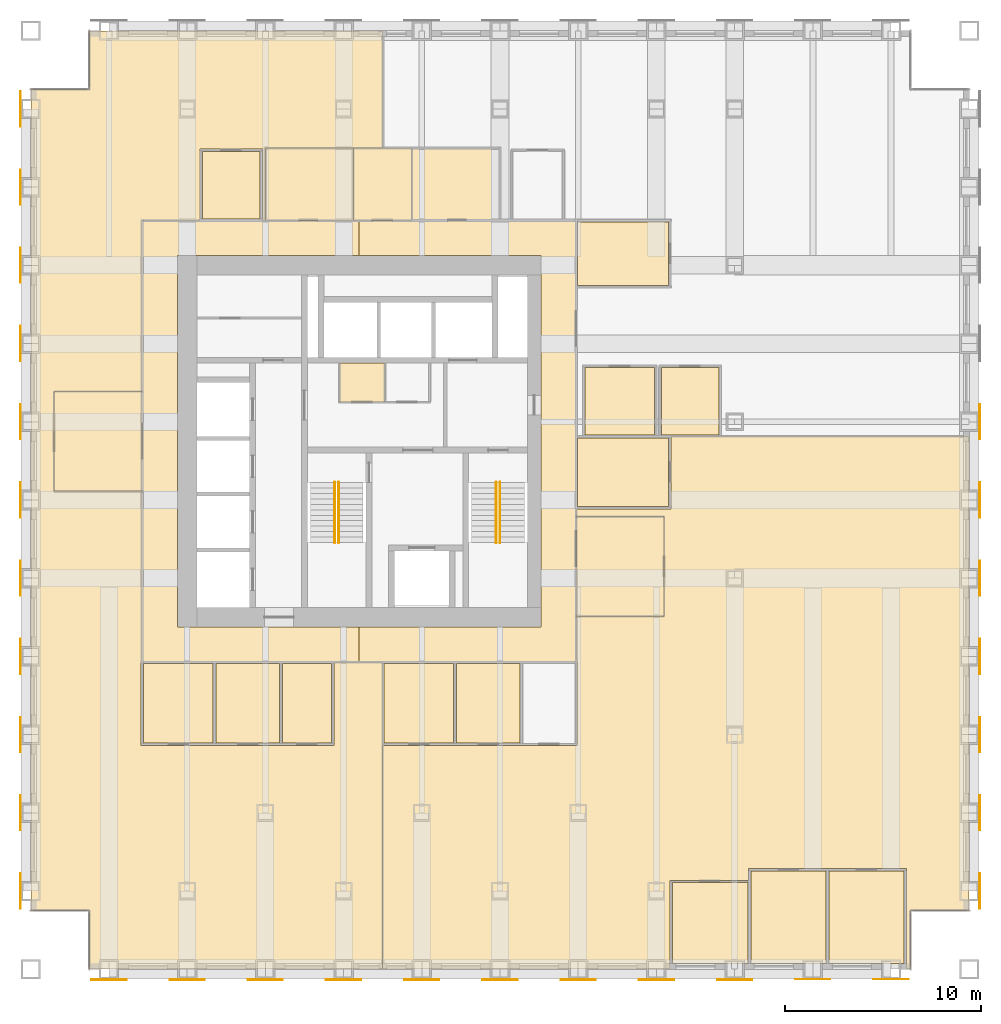
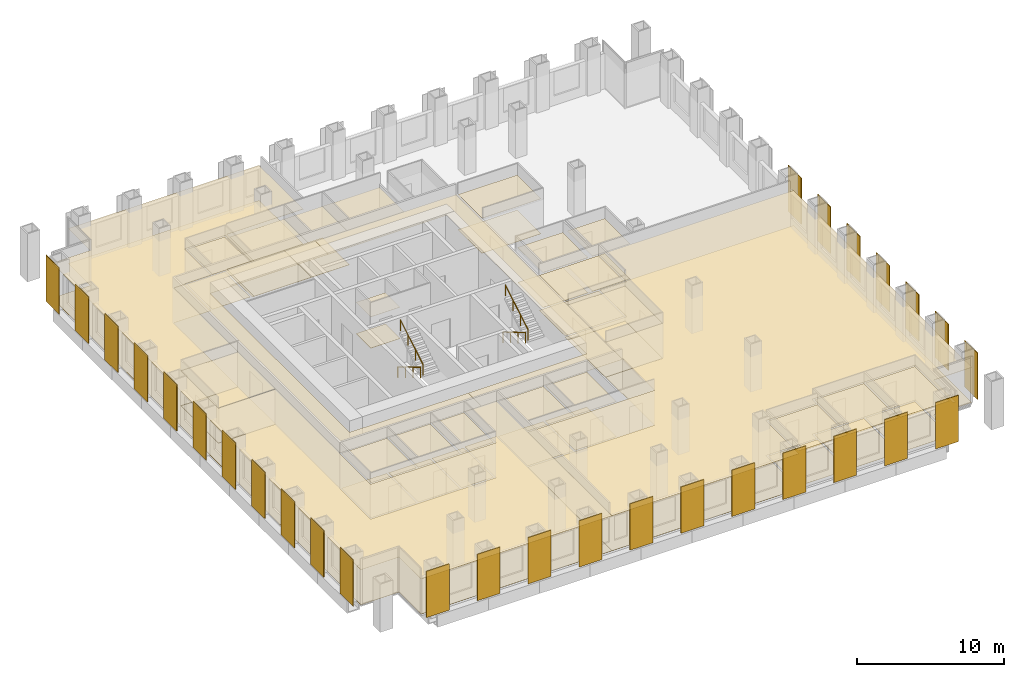
# One storey, part 15 of 16: 43 coverings, 29 shading devices, 4 railings.
"""IFC4 building model written with IfcOpenShell, lengths in metres."""

import ifcopenshell
import ifcopenshell.guid

model = None  # the IFC model being written
_history = None  # IfcOwnerHistory: only IFC2X3 demands one
_inside = {}  # id of a spatial element -> (the spatial element, [elements in it])
_under = {}  # id of a project, library or spatial element -> (it, [spatial elements below it])
_declared = {}  # id of a project -> (the project, [libraries it declares])
_typed = {}  # id of a type object -> (the type object, [elements of that type])
_made_of = {}  # id of a material, layer set ... -> (it, [elements and type objects made of it])


def new_model(schema):
    """Start an empty IFC model of exactly this schema.

    Asked for "IFC4X3", IfcOpenShell would pick the latest addendum, in which some entities
    have other attributes; the version numbers below select the first issue.
    IFC2X3 requires an IfcOwnerHistory on every rooted entity: one is made here for all.
    """
    global model, _history
    if schema == "IFC4X3":
        model = ifcopenshell.file(schema_version=(4, 3, 0, 0))
    else:
        model = ifcopenshell.file(schema=schema)
    _inside.clear()
    _under.clear()
    _declared.clear()
    _typed.clear()
    _made_of.clear()
    _history = None
    if model.schema == "IFC2X3":
        org = make("IfcOrganization", Name="unknown")
        user = make(
            "IfcPersonAndOrganization",
            ThePerson=make("IfcPerson", FamilyName="unknown"),
            TheOrganization=org,
        )
        app = make(
            "IfcApplication",
            ApplicationDeveloper=org,
            Version="unknown",
            ApplicationFullName="unknown",
            ApplicationIdentifier="unknown",
        )
        _history = make(
            "IfcOwnerHistory",
            OwningUser=user,
            OwningApplication=app,
            ChangeAction="ADDED",
            CreationDate=0,
        )
    return model


def make(cls, **values):
    """One entity of the class cls with the attributes given. An attribute that is None is left unset."""
    return model.create_entity(
        cls, **{name: value for name, value in values.items() if value is not None}
    )


def rooted(cls, **values):
    """An entity with a GlobalId (a new one), such as an element, a storey or a relation."""
    return make(cls, GlobalId=ifcopenshell.guid.new(), OwnerHistory=_history, **values)


def si_unit(unit_type, name, prefix=None):
    """IfcSIUnit, for example si_unit("LENGTHUNIT", "METRE", prefix="MILLI")."""
    return make("IfcSIUnit", UnitType=unit_type, Prefix=prefix, Name=name)


def assignment(units):
    """IfcUnitAssignment: the units of a project."""
    return None if units is None else make("IfcUnitAssignment", Units=units)


def point(xyz):
    """IfcCartesianPoint."""
    return None if xyz is None else make("IfcCartesianPoint", Coordinates=xyz)


def direction(xyz):
    """IfcDirection."""
    return None if xyz is None else make("IfcDirection", DirectionRatios=xyz)


def frame(location, z_axis=None, x_axis=None):
    """IfcAxis2Placement3D, a coordinate frame: its origin and axes. An axis left out is left unset."""
    return make(
        "IfcAxis2Placement3D",
        Location=point(location),
        Axis=direction(z_axis),
        RefDirection=direction(x_axis),
    )


def frame_2d(location, x_axis=None):
    """IfcAxis2Placement2D, a coordinate frame in the plane: its origin and x axis."""
    return make(
        "IfcAxis2Placement2D", Location=point(location), RefDirection=direction(x_axis)
    )


def origin():
    """The frame at (0, 0, 0) with its axes left unset."""
    return frame((0.0, 0.0, 0.0))


def origin_2d():
    """The frame at (0, 0) in the plane with its x axis left unset."""
    return frame_2d((0.0, 0.0))


def place(relative_to, where):
    """IfcLocalPlacement: puts the frame where relative to a parent placement (None: the world)."""
    return make(
        "IfcLocalPlacement", PlacementRelTo=relative_to, RelativePlacement=where
    )


def context(
    kind, dimensions, precision=None, world=None, true_north=None, identifier=None
):
    """IfcGeometricRepresentationContext, for example the 3D "Model" context."""
    return make(
        "IfcGeometricRepresentationContext",
        ContextIdentifier=identifier,
        ContextType=kind,
        CoordinateSpaceDimension=dimensions,
        Precision=precision,
        WorldCoordinateSystem=world,
        TrueNorth=true_north,
    )


def subcontext(parent, identifier, kind, view, scale=None):
    """IfcGeometricRepresentationSubContext, for example "Body" below "Model"."""
    return make(
        "IfcGeometricRepresentationSubContext",
        ContextIdentifier=identifier,
        ContextType=kind,
        ParentContext=parent,
        TargetScale=scale,
        TargetView=view,
    )


def project(units=None, contexts=None):
    """IfcProject with its units and contexts."""
    return rooted(
        "IfcProject",
        Name="project",
        RepresentationContexts=contexts,
        UnitsInContext=assignment(units),
    )


def spatial(cls, under=None, at=None, **own):
    """A site, building, storey or space (cls), placed at a placement, below another one or the project."""
    s = rooted(cls, ObjectPlacement=at, **own)
    if under is not None:
        _under.setdefault(under.id(), (under, []))[1].append(s)
    return s


def polyline(points):
    """IfcPolyline through the points."""
    return make("IfcPolyline", Points=[point(p) for p in points])


def profile(cls, at=None, kind="AREA", **sizes):
    """A parametric profile (cls). Its sizes go by their IFC names, for example OverallWidth=200.0."""
    return make(cls, ProfileType=kind, Position=at, **sizes)


def rectangle(**sizes):
    """IfcRectangleProfileDef."""
    return profile("IfcRectangleProfileDef", **sizes)


def circle(**sizes):
    """IfcCircleProfileDef."""
    return profile("IfcCircleProfileDef", **sizes)


def outline(outer, holes=None, kind="AREA"):
    """IfcArbitraryClosedProfileDef: a profile drawn as a closed curve; with holes, ...WithVoids."""
    if holes is None:
        return make("IfcArbitraryClosedProfileDef", ProfileType=kind, OuterCurve=outer)
    return make(
        "IfcArbitraryProfileDefWithVoids",
        ProfileType=kind,
        OuterCurve=outer,
        InnerCurves=holes,
    )


def extrude(swept, where, along, depth):
    """IfcExtrudedAreaSolid: the profile swept, set in the frame where, extruded along a direction by depth."""
    return make(
        "IfcExtrudedAreaSolid",
        SweptArea=swept,
        Position=where,
        ExtrudedDirection=direction(along),
        Depth=depth,
    )


def shape(context_of_items, identifier, shape_type, items):
    """IfcShapeRepresentation: the items that make up one representation, for example the "Body"."""
    return make(
        "IfcShapeRepresentation",
        ContextOfItems=context_of_items,
        RepresentationIdentifier=identifier,
        RepresentationType=shape_type,
        Items=items,
    )


def material(Name=None, Category=None):
    """IfcMaterial."""
    return make("IfcMaterial", Name=Name, Category=Category)


def layer(
    of_material, thickness, ventilated=None, Name=None, Category=None, Priority=None
):
    """IfcMaterialLayer: one layer of a wall or slab, of a material (None: an air gap)."""
    return make(
        "IfcMaterialLayer",
        Material=of_material,
        LayerThickness=thickness,
        IsVentilated=ventilated,
        Name=Name,
        Category=Category,
        Priority=Priority,
    )


def layer_set(layers, Name=None):
    """IfcMaterialLayerSet."""
    return make("IfcMaterialLayerSet", MaterialLayers=layers, LayerSetName=Name)


def made_of(thing, what):
    """Note that an element or type object is made of a material, layer set ...; save() writes the relation."""
    if what is not None:
        _made_of.setdefault(what.id(), (what, []))[1].append(thing)
    return thing


def type_object(cls, material=None, **own):
    """A type object (cls), such as IfcWallType, which elements share."""
    return made_of(rooted(cls, **own), material)


def element(
    cls,
    number,
    at=None,
    inside=None,
    cuts=None,
    type_object=None,
    material=None,
    context=None,
    identifier="Body",
    shape_type=None,
    held_by="IfcProductDefinitionShape",
    body=None,
    shapes=None,
    **own,
):
    """One element of the class cls, such as IfcWall. Its Tag is "e" and its number.

    at: its placement. inside: the storey or other place that contains it. cuts: it is an
    opening in that element (IfcRelVoidsElement). A single representation is given by context,
    identifier, shape_type and body (its items); several are given by shapes. held_by: the class
    of the entity that holds the representations. save() writes the other relations.
    """
    e = rooted(cls, Tag="e%d" % number, ObjectPlacement=at, **own)
    if body is not None:
        shapes = [shape(context, identifier, shape_type, body)]
    if shapes is not None:
        e.Representation = make(held_by, Representations=shapes)
    if inside is not None:
        _inside.setdefault(inside.id(), (inside, []))[1].append(e)
    if cuts is not None:
        rooted(
            "IfcRelVoidsElement", RelatingBuildingElement=cuts, RelatedOpeningElement=e
        )
    if type_object is not None:
        _typed.setdefault(type_object.id(), (type_object, []))[1].append(e)
    return made_of(e, material)


def aggregate(whole, parts):
    """IfcRelAggregates: a whole, such as a stair, and the parts it consists of."""
    return rooted("IfcRelAggregates", RelatingObject=whole, RelatedObjects=parts)


def save(model, path):
    """Write the relations noted so far, then the file.

    IfcRelAggregates (storeys below a building ...), IfcRelContainedInSpatialStructure (elements
    in a storey), IfcRelDefinesByType, IfcRelAssociatesMaterial and IfcRelDeclares: one each for
    every whole, place, type object, material and project.
    """
    for whole, parts in _under.values():
        aggregate(whole, parts)
    for where, things in _inside.values():
        rooted(
            "IfcRelContainedInSpatialStructure",
            RelatedElements=things,
            RelatingStructure=where,
        )
    for kind, things in _typed.values():
        rooted("IfcRelDefinesByType", RelatedObjects=things, RelatingType=kind)
    for what, things in _made_of.values():
        rooted("IfcRelAssociatesMaterial", RelatedObjects=things, RelatingMaterial=what)
    for by, libraries in _declared.values():
        rooted("IfcRelDeclares", RelatingContext=by, RelatedDefinitions=libraries)
    model.write(path)


model = new_model("IFC4")

# Units and contexts
model_context = context("Model", 3, precision=1e-05, world=origin(), true_north=direction((0.0, 1.0)))
body_context = subcontext(model_context, "Body", "Model", "MODEL_VIEW")
ifc_project = project(units=[si_unit("LENGTHUNIT", "METRE"), si_unit("AREAUNIT", "SQUARE_METRE"), si_unit("VOLUMEUNIT", "CUBIC_METRE"), si_unit("PLANEANGLEUNIT", "RADIAN"), si_unit("MASSUNIT", "GRAM", prefix="KILO")], contexts=[model_context])

# Site, building, storey
site_placement = place(None, origin())
site = spatial("IfcSite", under=ifc_project, at=site_placement, CompositionType="ELEMENT")
building_placement = place(site_placement, origin())
building = spatial("IfcBuilding", under=site, at=building_placement, Name="Rimbunsela Tower", CompositionType="ELEMENT")
storey_placement = place(building_placement, frame((0.0, 0.0, 93.39990234375)))
storey = spatial("IfcBuildingStorey", under=building, at=storey_placement, Name="L22", CompositionType="ELEMENT", Elevation=93.39990234375)

# Coverings
ifc_material_1 = material(Name="Nylon carpet tile", Category="textile")
ifc_layer_1 = layer(ifc_material_1, 0.010009765625)
ifc_layer_set_1 = layer_set([ifc_layer_1], Name="Carpet tile 10")
covering_type_1 = type_object("IfcCoveringType", Name="Carpet tile 10", PredefinedType="FLOORING", material=ifc_layer_set_1)
covering_1_placement = place(storey_placement, origin())
element("IfcCovering", 1, at=covering_1_placement, inside=storey, type_object=covering_type_1, Name="Floor finish Open office", PredefinedType="FLOORING", context=body_context, shape_type="SweptSolid", body=[
    extrude(outline(polyline([(19.449951171875, 11.449951171875), (22.75, 11.449951171875), (22.85009765625, 11.449951171875), (25.5, 11.449951171875), (25.5, 15.699951171875), (27.9990234375, 15.699951171875), (27.9990234375, 0.0), (15.699951171875, 0.0), (13.0, 0.0), (13.0, 3.0), (10.0, 3.0), (10.0, 45.0), (13.0, 45.0), (13.0, 48.0), (15.699951171875, 48.0), (27.9990234375, 48.0), (27.9990234375, 42.0), (22.0, 42.0), (22.0, 38.300048828125), (21.85009765625, 38.300048828125), (21.85009765625, 41.949951171875), (18.64990234375, 41.949951171875), (18.64990234375, 38.300048828125), (15.699951171875, 38.300048828125), (15.699951171875, 29.550048828125), (11.199951171875, 29.550048828125), (11.199951171875, 24.449951171875), (15.699951171875, 24.449951171875), (15.699951171875, 15.75), (15.64990234375, 15.75), (15.64990234375, 11.449951171875), (15.699951171875, 11.449951171875), (19.35009765625, 11.449951171875), (19.449951171875, 11.449951171875)])), origin(), (0.0, 0.0, 1.0), 0.010009765625),
])
covering_2_placement = place(storey_placement, origin())
element("IfcCovering", 2, at=covering_2_placement, inside=storey, type_object=covering_type_1, Name="Floor finish Open office", PredefinedType="FLOORING", context=body_context, shape_type="SweptSolid", body=[
    extrude(outline(polyline([(28.0009765625, 11.449951171875), (31.65087890625, 11.449951171875), (31.7509765625, 11.449951171875), (35.051025390625, 11.449951171875), (35.15087890625, 11.449951171875), (37.89990234375, 11.449951171875), (37.949951171875, 11.449951171875), (37.949951171875, 15.75), (37.89990234375, 15.75), (37.89990234375, 18.049072265625), (42.39990234375, 18.049072265625), (42.39990234375, 23.14892578125), (37.89990234375, 23.14892578125), (37.89990234375, 23.549072265625), (42.75, 23.549072265625), (42.75, 27.2490234375), (58.0, 27.2490234375), (58.0, 3.0), (55.0, 3.0), (55.0, 0.0), (54.800048828125, 0.0), (54.800048828125, 5.14990234375), (50.800048828125, 5.14990234375), (50.699951171875, 5.14990234375), (46.699951171875, 5.14990234375), (46.699951171875, 4.550048828125), (42.699951171875, 4.550048828125), (42.699951171875, 0.0), (37.89990234375, 0.0), (28.0009765625, 0.0), (28.0009765625, 11.449951171875)])), origin(), (0.0, 0.0, 1.0), 0.010009765625),
])
covering_3_placement = place(storey_placement, origin())
element("IfcCovering", 3, at=covering_3_placement, inside=storey, type_object=covering_type_1, Name="Floor finish Reception", PredefinedType="FLOORING", context=body_context, shape_type="SweptSolid", body=[
    extrude(outline(polyline([(15.699951171875, 24.449951171875), (15.699951171875, 29.550048828125), (11.199951171875, 29.550048828125), (11.199951171875, 24.449951171875), (15.699951171875, 24.449951171875)])), origin(), (0.0, 0.0, 1.0), 0.010009765625),
])
covering_4_placement = place(storey_placement, origin())
element("IfcCovering", 4, at=covering_4_placement, inside=storey, type_object=covering_type_1, Name="Floor finish Reception", PredefinedType="FLOORING", context=body_context, shape_type="SweptSolid", body=[
    extrude(outline(polyline([(42.39990234375, 18.049072265625), (42.39990234375, 23.14892578125), (37.89990234375, 23.14892578125), (37.89990234375, 18.049072265625), (42.39990234375, 18.049072265625)])), origin(), (0.0, 0.0, 1.0), 0.010009765625),
])
covering_5_placement = place(storey_placement, origin())
element("IfcCovering", 5, at=covering_5_placement, inside=storey, type_object=covering_type_1, Name="Floor finish Executive office", PredefinedType="FLOORING", context=body_context, shape_type="SweptSolid", body=[
    extrude(outline(polyline([(46.675048828125, 0.300048828125), (46.675048828125, 4.425048828125), (42.824951171875, 4.425048828125), (42.824951171875, 0.300048828125), (46.675048828125, 0.300048828125)])), origin(), (0.0, 0.0, 1.0), 0.010009765625),
])
covering_6_placement = place(storey_placement, origin())
element("IfcCovering", 6, at=covering_6_placement, inside=storey, type_object=covering_type_1, Name="Floor finish Meeting room", PredefinedType="FLOORING", context=body_context, shape_type="SweptSolid", body=[
    extrude(outline(polyline([(50.675048828125, 0.300048828125), (50.675048828125, 5.02490234375), (46.824951171875, 5.02490234375), (46.824951171875, 0.300048828125), (50.675048828125, 0.300048828125)])), origin(), (0.0, 0.0, 1.0), 0.010009765625),
])
covering_7_placement = place(storey_placement, origin())
element("IfcCovering", 7, at=covering_7_placement, inside=storey, type_object=covering_type_1, Name="Floor finish Meeting room", PredefinedType="FLOORING", context=body_context, shape_type="SweptSolid", body=[
    extrude(outline(polyline([(54.675048828125, 0.300048828125), (54.675048828125, 5.02490234375), (50.824951171875, 5.02490234375), (50.824951171875, 0.300048828125), (54.675048828125, 0.300048828125)])), origin(), (0.0, 0.0, 1.0), 0.010009765625),
])
covering_8_placement = place(storey_placement, origin())
element("IfcCovering", 8, at=covering_8_placement, inside=storey, type_object=covering_type_1, Name="Floor finish Meeting room", PredefinedType="FLOORING", context=body_context, shape_type="SweptSolid", body=[
    extrude(outline(polyline([(19.324951171875, 11.574951171875), (19.324951171875, 15.625), (15.77490234375, 15.625), (15.77490234375, 11.574951171875), (19.324951171875, 11.574951171875)])), origin(), (0.0, 0.0, 1.0), 0.010009765625),
])
covering_9_placement = place(storey_placement, origin())
element("IfcCovering", 9, at=covering_9_placement, inside=storey, type_object=covering_type_1, Name="Floor finish Pantry", PredefinedType="FLOORING", context=body_context, shape_type="SweptSolid", body=[
    extrude(outline(polyline([(22.72509765625, 11.574951171875), (22.72509765625, 15.625), (19.47509765625, 15.625), (19.47509765625, 11.574951171875), (22.72509765625, 11.574951171875)])), origin(), (0.0, 0.0, 1.0), 0.010009765625),
])
covering_10_placement = place(storey_placement, origin())
element("IfcCovering", 10, at=covering_10_placement, inside=storey, type_object=covering_type_1, Name="Floor finish Print and copy room", PredefinedType="FLOORING", context=body_context, shape_type="SweptSolid", body=[
    extrude(outline(polyline([(25.375, 11.574951171875), (25.375, 15.625), (22.875, 15.625), (22.875, 11.574951171875), (25.375, 11.574951171875)])), origin(), (0.0, 0.0, 1.0), 0.010009765625),
])
covering_11_placement = place(storey_placement, origin())
element("IfcCovering", 11, at=covering_11_placement, inside=storey, type_object=covering_type_1, Name="Floor finish Meeting room", PredefinedType="FLOORING", context=body_context, shape_type="SweptSolid", body=[
    extrude(outline(polyline([(31.6259765625, 11.574951171875), (31.6259765625, 15.625), (28.075927734375, 15.625), (28.075927734375, 11.574951171875), (31.6259765625, 11.574951171875)])), origin(), (0.0, 0.0, 1.0), 0.010009765625),
])
covering_12_placement = place(storey_placement, origin())
element("IfcCovering", 12, at=covering_12_placement, inside=storey, type_object=covering_type_1, Name="Floor finish Pantry", PredefinedType="FLOORING", context=body_context, shape_type="SweptSolid", body=[
    extrude(outline(polyline([(35.02587890625, 11.574951171875), (35.02587890625, 15.625), (31.77587890625, 15.625), (31.77587890625, 11.574951171875), (35.02587890625, 11.574951171875)])), origin(), (0.0, 0.0, 1.0), 0.010009765625),
])
covering_13_placement = place(storey_placement, origin())
element("IfcCovering", 13, at=covering_13_placement, inside=storey, type_object=covering_type_1, Name="Floor finish Office", PredefinedType="FLOORING", context=body_context, shape_type="SweptSolid", body=[
    extrude(outline(polyline([(42.625, 23.674072265625), (42.625, 27.174072265625), (37.97509765625, 27.174072265625), (37.97509765625, 23.674072265625), (42.625, 23.674072265625)])), origin(), (0.0, 0.0, 1.0), 0.010009765625),
])
covering_14_placement = place(storey_placement, origin())
element("IfcCovering", 14, at=covering_14_placement, inside=storey, type_object=covering_type_1, Name="Floor finish Office", PredefinedType="FLOORING", context=body_context, shape_type="SweptSolid", body=[
    extrude(outline(polyline([(21.72509765625, 38.375), (21.72509765625, 41.824951171875), (18.77490234375, 41.824951171875), (18.77490234375, 38.375), (21.72509765625, 38.375)])), origin(), (0.0, 0.0, 1.0), 0.010009765625),
])
covering_15_placement = place(storey_placement, origin())
element("IfcCovering", 15, at=covering_15_placement, inside=storey, type_object=covering_type_1, Name="Floor finish Meeting room", PredefinedType="FLOORING", context=body_context, shape_type="SweptSolid", body=[
    extrude(outline(polyline([(41.89990234375, 27.324951171875), (41.89990234375, 30.77490234375), (38.35009765625, 30.77490234375), (38.35009765625, 27.324951171875), (41.89990234375, 27.324951171875)])), origin(), (0.0, 0.0, 1.0), 0.010009765625),
])
covering_16_placement = place(storey_placement, origin())
element("IfcCovering", 16, at=covering_16_placement, inside=storey, type_object=covering_type_1, Name="Floor finish Pantry", PredefinedType="FLOORING", context=body_context, shape_type="SweptSolid", body=[
    extrude(outline(polyline([(42.625, 34.97509765625), (42.625, 38.22509765625), (37.97509765625, 38.22509765625), (37.97509765625, 34.97509765625), (42.625, 34.97509765625)])), origin(), (0.0, 0.0, 1.0), 0.010009765625),
])
covering_17_placement = place(storey_placement, origin())
element("IfcCovering", 17, at=covering_17_placement, inside=storey, type_object=covering_type_1, Name="Floor finish Office", PredefinedType="FLOORING", context=body_context, shape_type="SweptSolid", body=[
    extrude(outline(polyline([(45.199951171875, 27.324951171875), (45.199951171875, 30.77490234375), (42.25, 30.77490234375), (42.25, 27.324951171875), (45.199951171875, 27.324951171875)])), origin(), (0.0, 0.0, 1.0), 0.010009765625),
])
ifc_material_2 = material(Name="Mineral fibre ceiling tile", Category="gypsum")
ifc_layer_2 = layer(ifc_material_2, 0.02001953125)
ifc_layer_set_2 = layer_set([ifc_layer_2], Name="Ceiling 600 grid")
covering_type_2 = type_object("IfcCoveringType", Name="Ceiling 600 grid", PredefinedType="CEILING", material=ifc_layer_set_2)
covering_18_placement = place(storey_placement, frame((0.0, 0.0, 2.900146484375)))
element("IfcCovering", 18, at=covering_18_placement, inside=storey, type_object=covering_type_2, Name="Ceiling Ring corridor", PredefinedType="CEILING", context=body_context, shape_type="SweptSolid", body=[
    extrude(outline(polyline([(15.699951171875, 38.300048828125), (26.800048828125, 38.300048828125), (26.800048828125, 36.5), (17.5, 36.5), (17.5, 17.5), (26.800048828125, 17.5), (26.800048828125, 15.699951171875), (15.699951171875, 15.699951171875), (15.699951171875, 38.300048828125)])), origin(), (0.0, 0.0, 1.0), 0.02001953125),
])
covering_19_placement = place(storey_placement, frame((0.0, 0.0, 2.900146484375)))
element("IfcCovering", 19, at=covering_19_placement, inside=storey, type_object=covering_type_2, Name="Ceiling Ring corridor", PredefinedType="CEILING", context=body_context, shape_type="SweptSolid", body=[
    extrude(outline(polyline([(37.89990234375, 38.300048828125), (37.89990234375, 15.699951171875), (26.800048828125, 15.699951171875), (26.800048828125, 17.5), (36.10009765625, 17.5), (36.10009765625, 36.5), (26.800048828125, 36.5), (26.800048828125, 38.300048828125), (37.89990234375, 38.300048828125)])), origin(), (0.0, 0.0, 1.0), 0.02001953125),
])
covering_20_placement = place(storey_placement, frame((0.0, 0.0, 2.900146484375)))
element("IfcCovering", 20, at=covering_20_placement, inside=storey, type_object=covering_type_2, Name="Ceiling Open office", PredefinedType="CEILING", context=body_context, shape_type="SweptSolid", body=[
    extrude(outline(polyline([(19.449951171875, 11.449951171875), (22.75, 11.449951171875), (22.85009765625, 11.449951171875), (25.5, 11.449951171875), (25.5, 15.699951171875), (27.9990234375, 15.699951171875), (27.9990234375, 0.0), (15.699951171875, 0.0), (13.0, 0.0), (13.0, 3.0), (10.0, 3.0), (10.0, 45.0), (13.0, 45.0), (13.0, 48.0), (15.699951171875, 48.0), (27.9990234375, 48.0), (27.9990234375, 42.0), (22.0, 42.0), (22.0, 38.300048828125), (21.85009765625, 38.300048828125), (21.85009765625, 41.949951171875), (18.64990234375, 41.949951171875), (18.64990234375, 38.300048828125), (15.699951171875, 38.300048828125), (15.699951171875, 29.550048828125), (11.199951171875, 29.550048828125), (11.199951171875, 24.449951171875), (15.699951171875, 24.449951171875), (15.699951171875, 15.75), (15.64990234375, 15.75), (15.64990234375, 11.449951171875), (15.699951171875, 11.449951171875), (19.35009765625, 11.449951171875), (19.449951171875, 11.449951171875)])), origin(), (0.0, 0.0, 1.0), 0.02001953125),
])
covering_21_placement = place(storey_placement, frame((0.0, 0.0, 2.900146484375)))
element("IfcCovering", 21, at=covering_21_placement, inside=storey, type_object=covering_type_2, Name="Ceiling Open office", PredefinedType="CEILING", context=body_context, shape_type="SweptSolid", body=[
    extrude(outline(polyline([(28.0009765625, 11.449951171875), (31.65087890625, 11.449951171875), (31.7509765625, 11.449951171875), (35.051025390625, 11.449951171875), (35.15087890625, 11.449951171875), (37.89990234375, 11.449951171875), (37.949951171875, 11.449951171875), (37.949951171875, 15.75), (37.89990234375, 15.75), (37.89990234375, 18.049072265625), (42.39990234375, 18.049072265625), (42.39990234375, 23.14892578125), (37.89990234375, 23.14892578125), (37.89990234375, 23.549072265625), (42.75, 23.549072265625), (42.75, 27.2490234375), (58.0, 27.2490234375), (58.0, 3.0), (55.0, 3.0), (55.0, 0.0), (54.800048828125, 0.0), (54.800048828125, 5.14990234375), (50.800048828125, 5.14990234375), (50.699951171875, 5.14990234375), (46.699951171875, 5.14990234375), (46.699951171875, 4.550048828125), (42.699951171875, 4.550048828125), (42.699951171875, 0.0), (37.89990234375, 0.0), (28.0009765625, 0.0), (28.0009765625, 11.449951171875)])), origin(), (0.0, 0.0, 1.0), 0.02001953125),
])
covering_22_placement = place(storey_placement, frame((0.0, 0.0, 2.900146484375)))
element("IfcCovering", 22, at=covering_22_placement, inside=storey, type_object=covering_type_2, Name="Ceiling Reception", PredefinedType="CEILING", context=body_context, shape_type="SweptSolid", body=[
    extrude(outline(polyline([(15.699951171875, 24.449951171875), (15.699951171875, 29.550048828125), (11.199951171875, 29.550048828125), (11.199951171875, 24.449951171875), (15.699951171875, 24.449951171875)])), origin(), (0.0, 0.0, 1.0), 0.02001953125),
])
covering_23_placement = place(storey_placement, frame((0.0, 0.0, 2.900146484375)))
element("IfcCovering", 23, at=covering_23_placement, inside=storey, type_object=covering_type_2, Name="Ceiling Reception", PredefinedType="CEILING", context=body_context, shape_type="SweptSolid", body=[
    extrude(outline(polyline([(42.39990234375, 18.049072265625), (42.39990234375, 23.14892578125), (37.89990234375, 23.14892578125), (37.89990234375, 18.049072265625), (42.39990234375, 18.049072265625)])), origin(), (0.0, 0.0, 1.0), 0.02001953125),
])
covering_24_placement = place(storey_placement, frame((0.0, 0.0, 2.900146484375)))
element("IfcCovering", 24, at=covering_24_placement, inside=storey, type_object=covering_type_2, Name="Ceiling Executive office", PredefinedType="CEILING", context=body_context, shape_type="SweptSolid", body=[
    extrude(outline(polyline([(46.675048828125, 0.300048828125), (46.675048828125, 4.425048828125), (42.824951171875, 4.425048828125), (42.824951171875, 0.300048828125), (46.675048828125, 0.300048828125)])), origin(), (0.0, 0.0, 1.0), 0.02001953125),
])
covering_25_placement = place(storey_placement, frame((0.0, 0.0, 2.900146484375)))
element("IfcCovering", 25, at=covering_25_placement, inside=storey, type_object=covering_type_2, Name="Ceiling Meeting room", PredefinedType="CEILING", context=body_context, shape_type="SweptSolid", body=[
    extrude(outline(polyline([(50.675048828125, 0.300048828125), (50.675048828125, 5.02490234375), (46.824951171875, 5.02490234375), (46.824951171875, 0.300048828125), (50.675048828125, 0.300048828125)])), origin(), (0.0, 0.0, 1.0), 0.02001953125),
])
covering_26_placement = place(storey_placement, frame((0.0, 0.0, 2.900146484375)))
element("IfcCovering", 26, at=covering_26_placement, inside=storey, type_object=covering_type_2, Name="Ceiling Meeting room", PredefinedType="CEILING", context=body_context, shape_type="SweptSolid", body=[
    extrude(outline(polyline([(54.675048828125, 0.300048828125), (54.675048828125, 5.02490234375), (50.824951171875, 5.02490234375), (50.824951171875, 0.300048828125), (54.675048828125, 0.300048828125)])), origin(), (0.0, 0.0, 1.0), 0.02001953125),
])
covering_27_placement = place(storey_placement, frame((0.0, 0.0, 2.900146484375)))
element("IfcCovering", 27, at=covering_27_placement, inside=storey, type_object=covering_type_2, Name="Ceiling Meeting room", PredefinedType="CEILING", context=body_context, shape_type="SweptSolid", body=[
    extrude(outline(polyline([(19.324951171875, 11.574951171875), (19.324951171875, 15.625), (15.77490234375, 15.625), (15.77490234375, 11.574951171875), (19.324951171875, 11.574951171875)])), origin(), (0.0, 0.0, 1.0), 0.02001953125),
])
covering_28_placement = place(storey_placement, frame((0.0, 0.0, 2.900146484375)))
element("IfcCovering", 28, at=covering_28_placement, inside=storey, type_object=covering_type_2, Name="Ceiling Pantry", PredefinedType="CEILING", context=body_context, shape_type="SweptSolid", body=[
    extrude(outline(polyline([(22.72509765625, 11.574951171875), (22.72509765625, 15.625), (19.47509765625, 15.625), (19.47509765625, 11.574951171875), (22.72509765625, 11.574951171875)])), origin(), (0.0, 0.0, 1.0), 0.02001953125),
])
covering_29_placement = place(storey_placement, frame((0.0, 0.0, 2.900146484375)))
element("IfcCovering", 29, at=covering_29_placement, inside=storey, type_object=covering_type_2, Name="Ceiling Print and copy room", PredefinedType="CEILING", context=body_context, shape_type="SweptSolid", body=[
    extrude(outline(polyline([(25.375, 11.574951171875), (25.375, 15.625), (22.875, 15.625), (22.875, 11.574951171875), (25.375, 11.574951171875)])), origin(), (0.0, 0.0, 1.0), 0.02001953125),
])
covering_30_placement = place(storey_placement, frame((0.0, 0.0, 2.900146484375)))
element("IfcCovering", 30, at=covering_30_placement, inside=storey, type_object=covering_type_2, Name="Ceiling Meeting room", PredefinedType="CEILING", context=body_context, shape_type="SweptSolid", body=[
    extrude(outline(polyline([(31.6259765625, 11.574951171875), (31.6259765625, 15.625), (28.075927734375, 15.625), (28.075927734375, 11.574951171875), (31.6259765625, 11.574951171875)])), origin(), (0.0, 0.0, 1.0), 0.02001953125),
])
covering_31_placement = place(storey_placement, frame((0.0, 0.0, 2.900146484375)))
element("IfcCovering", 31, at=covering_31_placement, inside=storey, type_object=covering_type_2, Name="Ceiling Pantry", PredefinedType="CEILING", context=body_context, shape_type="SweptSolid", body=[
    extrude(outline(polyline([(35.02587890625, 11.574951171875), (35.02587890625, 15.625), (31.77587890625, 15.625), (31.77587890625, 11.574951171875), (35.02587890625, 11.574951171875)])), origin(), (0.0, 0.0, 1.0), 0.02001953125),
])
covering_32_placement = place(storey_placement, frame((0.0, 0.0, 2.900146484375)))
element("IfcCovering", 32, at=covering_32_placement, inside=storey, type_object=covering_type_2, Name="Ceiling Office", PredefinedType="CEILING", context=body_context, shape_type="SweptSolid", body=[
    extrude(outline(polyline([(42.625, 23.674072265625), (42.625, 27.174072265625), (37.97509765625, 27.174072265625), (37.97509765625, 23.674072265625), (42.625, 23.674072265625)])), origin(), (0.0, 0.0, 1.0), 0.02001953125),
])
covering_33_placement = place(storey_placement, frame((0.0, 0.0, 2.900146484375)))
element("IfcCovering", 33, at=covering_33_placement, inside=storey, type_object=covering_type_2, Name="Ceiling Office", PredefinedType="CEILING", context=body_context, shape_type="SweptSolid", body=[
    extrude(outline(polyline([(21.72509765625, 38.375), (21.72509765625, 41.824951171875), (18.77490234375, 41.824951171875), (18.77490234375, 38.375), (21.72509765625, 38.375)])), origin(), (0.0, 0.0, 1.0), 0.02001953125),
])
covering_34_placement = place(storey_placement, frame((0.0, 0.0, 2.900146484375)))
element("IfcCovering", 34, at=covering_34_placement, inside=storey, type_object=covering_type_2, Name="Ceiling Meeting room", PredefinedType="CEILING", context=body_context, shape_type="SweptSolid", body=[
    extrude(outline(polyline([(41.89990234375, 27.324951171875), (41.89990234375, 30.77490234375), (38.35009765625, 30.77490234375), (38.35009765625, 27.324951171875), (41.89990234375, 27.324951171875)])), origin(), (0.0, 0.0, 1.0), 0.02001953125),
])
covering_35_placement = place(storey_placement, frame((0.0, 0.0, 2.900146484375)))
element("IfcCovering", 35, at=covering_35_placement, inside=storey, type_object=covering_type_2, Name="Ceiling Pantry", PredefinedType="CEILING", context=body_context, shape_type="SweptSolid", body=[
    extrude(outline(polyline([(42.625, 34.97509765625), (42.625, 38.22509765625), (37.97509765625, 38.22509765625), (37.97509765625, 34.97509765625), (42.625, 34.97509765625)])), origin(), (0.0, 0.0, 1.0), 0.02001953125),
])
covering_36_placement = place(storey_placement, frame((0.0, 0.0, 2.900146484375)))
element("IfcCovering", 36, at=covering_36_placement, inside=storey, type_object=covering_type_2, Name="Ceiling Office", PredefinedType="CEILING", context=body_context, shape_type="SweptSolid", body=[
    extrude(outline(polyline([(45.199951171875, 27.324951171875), (45.199951171875, 30.77490234375), (42.25, 30.77490234375), (42.25, 27.324951171875), (45.199951171875, 27.324951171875)])), origin(), (0.0, 0.0, 1.0), 0.02001953125),
])
ifc_material_3 = material(Name="Moisture-resistant plasterboard ceiling", Category="gypsum")
ifc_layer_3 = layer(ifc_material_3, 0.012451171875)
ifc_layer_set_3 = layer_set([ifc_layer_3], Name="Ceiling moisture-resistant board")
covering_type_3 = type_object("IfcCoveringType", Name="Ceiling moisture-resistant board", PredefinedType="CEILING", material=ifc_layer_set_3)
covering_37_placement = place(storey_placement, frame((0.0, 0.0, 2.60009765625)))
element("IfcCovering", 37, at=covering_37_placement, inside=storey, type_object=covering_type_3, Name="Ceiling Staff WC", PredefinedType="CEILING", context=body_context, shape_type="SweptSolid", body=[
    extrude(outline(polyline([(28.10009765625, 29.0), (28.10009765625, 31.0), (25.800048828125, 31.0), (25.800048828125, 29.0), (28.10009765625, 29.0)])), origin(), (0.0, 0.0, 1.0), 0.02001953125),
])
covering_38_placement = place(storey_placement, frame((0.0, 0.0, 2.60009765625)))
element("IfcCovering", 38, at=covering_38_placement, inside=storey, type_object=covering_type_3, Name="Ceiling Female WC", PredefinedType="CEILING", context=body_context, shape_type="SweptSolid", body=[
    extrude(outline(polyline([(26.5, 38.300048828125), (26.5, 42.0), (22.0, 42.0), (22.0, 38.300048828125), (26.5, 38.300048828125)])), origin(), (0.0, 0.0, 1.0), 0.02001953125),
])
covering_39_placement = place(storey_placement, frame((0.0, 0.0, 2.60009765625)))
element("IfcCovering", 39, at=covering_39_placement, inside=storey, type_object=covering_type_3, Name="Ceiling Accessible WC", PredefinedType="CEILING", context=body_context, shape_type="SweptSolid", body=[
    extrude(outline(polyline([(29.5, 38.300048828125), (29.5, 42.0), (26.5, 42.0), (26.5, 38.300048828125), (29.5, 38.300048828125)])), origin(), (0.0, 0.0, 1.0), 0.02001953125),
])
covering_40_placement = place(storey_placement, frame((0.0, 0.0, 2.60009765625)))
element("IfcCovering", 40, at=covering_40_placement, inside=storey, type_object=covering_type_3, Name="Ceiling Male WC", PredefinedType="CEILING", context=body_context, shape_type="SweptSolid", body=[
    extrude(outline(polyline([(34.0, 38.300048828125), (34.0, 42.0), (29.5, 42.0), (29.5, 38.300048828125), (34.0, 38.300048828125)])), origin(), (0.0, 0.0, 1.0), 0.02001953125),
])
ifc_material_4 = material(Name="Porcelain floor tile in adhesive bed", Category="ceramic")
ifc_layer_4 = layer(ifc_material_4, 0.02001953125)
ifc_layer_set_4 = layer_set([ifc_layer_4], Name="Porcelain tile 20")
covering_type_4 = type_object("IfcCoveringType", Name="Porcelain tile 20", PredefinedType="FLOORING", material=ifc_layer_set_4)
covering_41_placement = place(storey_placement, origin())
element("IfcCovering", 41, at=covering_41_placement, inside=storey, type_object=covering_type_4, Name="Floor finish Staff WC", PredefinedType="FLOORING", context=body_context, shape_type="SweptSolid", body=[
    extrude(outline(polyline([(28.10009765625, 29.0), (28.10009765625, 31.0), (25.800048828125, 31.0), (25.800048828125, 29.0), (28.10009765625, 29.0)])), origin(), (0.0, 0.0, 1.0), 0.02001953125),
])
covering_42_placement = place(storey_placement, origin())
element("IfcCovering", 42, at=covering_42_placement, inside=storey, type_object=covering_type_4, Name="Floor finish Female WC", PredefinedType="FLOORING", context=body_context, shape_type="SweptSolid", body=[
    extrude(outline(polyline([(26.5, 38.300048828125), (26.5, 42.0), (22.0, 42.0), (22.0, 38.300048828125), (26.5, 38.300048828125)])), origin(), (0.0, 0.0, 1.0), 0.02001953125),
])
covering_43_placement = place(storey_placement, origin())
element("IfcCovering", 43, at=covering_43_placement, inside=storey, type_object=covering_type_4, Name="Floor finish Accessible WC", PredefinedType="FLOORING", context=body_context, shape_type="SweptSolid", body=[
    extrude(outline(polyline([(29.5, 38.300048828125), (29.5, 42.0), (26.5, 42.0), (26.5, 38.300048828125), (29.5, 38.300048828125)])), origin(), (0.0, 0.0, 1.0), 0.02001953125),
])

# Shading devices
ifc_material_5 = material(Name="Perforated aluminium, 35 % open area", Category="aluminium")
ifc_layer_5 = layer(ifc_material_5, 0.050048828125)
ifc_layer_set_5 = layer_set([ifc_layer_5], Name="Solar screen panel 1800")
shading_device_type = type_object("IfcShadingDeviceType", Name="Solar screen panel 1800", PredefinedType="USERDEFINED", material=ifc_layer_set_5)
for number, where, z_axis, x_axis, name in (
    (44, (14.0, -0.52490234375, 0.0), (0.0, 0.0, 1.0), (1.0, 0.0, 0.0), "Solar screen S L22"),
    (45, (18.0, -0.52490234375, 0.0), (0.0, 0.0, 1.0), (1.0, 0.0, 0.0), "Solar screen S L22"),
    (46, (22.0, -0.52490234375, 0.0), (0.0, 0.0, 1.0), (1.0, 0.0, 0.0), "Solar screen S L22"),
    (47, (26.0, -0.52490234375, 0.0), (0.0, 0.0, 1.0), (1.0, 0.0, 0.0), "Solar screen S L22"),
    (48, (30.0, -0.52490234375, 0.0), (0.0, 0.0, 1.0), (1.0, 0.0, 0.0), "Solar screen S L22"),
    (49, (34.0, -0.52490234375, 0.0), (0.0, 0.0, 1.0), (1.0, 0.0, 0.0), "Solar screen S L22"),
    (50, (38.0, -0.52490234375, 0.0), (0.0, 0.0, 1.0), (1.0, 0.0, 0.0), "Solar screen S L22"),
    (51, (42.0, -0.52490234375, 0.0), (0.0, 0.0, 1.0), (1.0, 0.0, 0.0), "Solar screen S L22"),
    (52, (46.0, -0.52490234375, 0.0), (0.0, 0.0, 1.0), (1.0, 0.0, 0.0), "Solar screen S L22"),
    (53, (50.0, -0.52490234375, 0.0), (0.0, 0.0, 1.0), (1.0, 0.0, 0.0), "Solar screen S L22"),
    (54, (54.0, -0.52490234375, 0.0), (0.0, 0.0, 1.0), (1.0, 0.0, 0.0), "Solar screen S L22"),
    (55, (58.52490234375, 4.0, 0.0), (0.0, 0.0, 1.0), (0.0, 1.0, 0.0), "Solar screen E L22"),
    (56, (58.52490234375, 8.0, 0.0), (0.0, 0.0, 1.0), (0.0, 1.0, 0.0), "Solar screen E L22"),
    (57, (58.52490234375, 12.0, 0.0), (0.0, 0.0, 1.0), (0.0, 1.0, 0.0), "Solar screen E L22"),
    (58, (58.52490234375, 16.0, 0.0), (0.0, 0.0, 1.0), (0.0, 1.0, 0.0), "Solar screen E L22"),
    (59, (58.52490234375, 20.0, 0.0), (0.0, 0.0, 1.0), (0.0, 1.0, 0.0), "Solar screen E L22"),
    (60, (58.52490234375, 24.0, 0.0), (0.0, 0.0, 1.0), (0.0, 1.0, 0.0), "Solar screen E L22"),
    (61, (58.52490234375, 28.0, 0.0), (0.0, 0.0, 1.0), (0.0, 1.0, 0.0), "Solar screen E L22"),
    (62, (9.47509765625, 4.0, 0.0), (0.0, 0.0, 1.0), (0.0, 1.0, 0.0), "Solar screen W L22"),
    (63, (9.47509765625, 8.0, 0.0), (0.0, 0.0, 1.0), (0.0, 1.0, 0.0), "Solar screen W L22"),
    (64, (9.47509765625, 12.0, 0.0), (0.0, 0.0, 1.0), (0.0, 1.0, 0.0), "Solar screen W L22"),
    (65, (9.47509765625, 16.0, 0.0), (0.0, 0.0, 1.0), (0.0, 1.0, 0.0), "Solar screen W L22"),
    (66, (9.47509765625, 20.0, 0.0), (0.0, 0.0, 1.0), (0.0, 1.0, 0.0), "Solar screen W L22"),
    (67, (9.47509765625, 24.0, 0.0), (0.0, 0.0, 1.0), (0.0, 1.0, 0.0), "Solar screen W L22"),
    (68, (9.47509765625, 28.0, 0.0), (0.0, 0.0, 1.0), (0.0, 1.0, 0.0), "Solar screen W L22"),
    (69, (9.47509765625, 32.0, 0.0), (0.0, 0.0, 1.0), (0.0, 1.0, 0.0), "Solar screen W L22"),
    (70, (9.47509765625, 36.0, 0.0), (0.0, 0.0, 1.0), (0.0, 1.0, 0.0), "Solar screen W L22"),
    (71, (9.47509765625, 40.0, 0.0), (0.0, 0.0, 1.0), (0.0, 1.0, 0.0), "Solar screen W L22"),
    (72, (9.47509765625, 44.0, 0.0), (0.0, 0.0, 1.0), (0.0, 1.0, 0.0), "Solar screen W L22"),
):
    element("IfcShadingDevice", number, at=place(storey_placement, frame(where, z_axis=z_axis, x_axis=x_axis)), inside=storey, type_object=shading_device_type, Name=name, ObjectType="SCREEN", PredefinedType="USERDEFINED", context=body_context, shape_type="SweptSolid", body=[
        extrude(rectangle(XDim=1.800048828125, YDim=0.050048828125, at=origin_2d()), origin(), (0.0, 0.0, 1.0), 3.85009765625),
    ])

# Railings
ifc_material_6 = material(Name="Stainless steel tube", Category="steel")
railing_type = type_object("IfcRailingType", Name="Stair handrail 900", PredefinedType="HANDRAIL", material=ifc_material_6)
railing_1_placement = place(storey_placement, frame((25.550048828125, 24.89990234375, 0.166748046875)))
element("IfcRailing", 73, at=railing_1_placement, inside=storey, type_object=railing_type, Name="Handrail ST-A flight 1", PredefinedType="HANDRAIL", context=body_context, shape_type="SweptSolid", body=[
    extrude(circle(Radius=0.02392578125, at=origin_2d()), frame((0.0, 0.0, 0.8759765625), z_axis=(0.0, -0.859290745958, 0.51148745235), x_axis=(1.0, 0.0, 0.0)), (0.0, 0.0, 1.0), 3.584228515625),
    extrude(circle(Radius=0.02099609375, at=origin_2d()), origin(), (0.0, 0.0, 1.0), 0.851806640625),
    extrude(circle(Radius=0.02099609375, at=origin_2d()), frame((0.0, -1.026611328125, 0.611083984375)), (0.0, 0.0, 1.0), 0.851806640625),
    extrude(circle(Radius=0.02099609375, at=origin_2d()), frame((0.0, -2.05322265625, 1.22216796875)), (0.0, 0.0, 1.0), 0.851806640625),
    extrude(circle(Radius=0.02099609375, at=origin_2d()), frame((0.0, -3.079833984375, 1.833251953125)), (0.0, 0.0, 1.0), 0.851806640625),
])
railing_2_placement = place(storey_placement, frame((25.75, 21.820068359375, 2.166748046875)))
element("IfcRailing", 74, at=railing_2_placement, inside=storey, type_object=railing_type, Name="Handrail ST-A flight 2", PredefinedType="HANDRAIL", context=body_context, shape_type="SweptSolid", body=[
    extrude(circle(Radius=0.02392578125, at=origin_2d()), frame((0.0, 0.0, 0.8759765625), z_axis=(0.0, 0.859290745958, 0.51148745235), x_axis=(-1.0, 0.0, 0.0)), (0.0, 0.0, 1.0), 3.584228515625),
    extrude(circle(Radius=0.02099609375, at=origin_2d()), origin(), (0.0, 0.0, 1.0), 0.851806640625),
    extrude(circle(Radius=0.02099609375, at=origin_2d()), frame((0.0, 1.026611328125, 0.611083984375)), (0.0, 0.0, 1.0), 0.851806640625),
    extrude(circle(Radius=0.02099609375, at=origin_2d()), frame((0.0, 2.05322265625, 1.22216796875)), (0.0, 0.0, 1.0), 0.851806640625),
    extrude(circle(Radius=0.02099609375, at=origin_2d()), frame((0.0, 3.079833984375, 1.833251953125)), (0.0, 0.0, 1.0), 0.851806640625),
])
railing_3_placement = place(storey_placement, frame((33.800048828125, 24.89990234375, 0.166748046875)))
element("IfcRailing", 75, at=railing_3_placement, inside=storey, type_object=railing_type, Name="Handrail ST-B flight 1", PredefinedType="HANDRAIL", context=body_context, shape_type="SweptSolid", body=[
    extrude(circle(Radius=0.02392578125, at=origin_2d()), frame((0.0, 0.0, 0.8759765625), z_axis=(0.0, -0.859290745958, 0.51148745235), x_axis=(1.0, 0.0, 0.0)), (0.0, 0.0, 1.0), 3.584228515625),
    extrude(circle(Radius=0.02099609375, at=origin_2d()), origin(), (0.0, 0.0, 1.0), 0.851806640625),
    extrude(circle(Radius=0.02099609375, at=origin_2d()), frame((0.0, -1.026611328125, 0.611083984375)), (0.0, 0.0, 1.0), 0.851806640625),
    extrude(circle(Radius=0.02099609375, at=origin_2d()), frame((0.0, -2.05322265625, 1.22216796875)), (0.0, 0.0, 1.0), 0.851806640625),
    extrude(circle(Radius=0.02099609375, at=origin_2d()), frame((0.0, -3.079833984375, 1.833251953125)), (0.0, 0.0, 1.0), 0.851806640625),
])
railing_4_placement = place(storey_placement, frame((34.0, 21.820068359375, 2.166748046875)))
element("IfcRailing", 76, at=railing_4_placement, inside=storey, type_object=railing_type, Name="Handrail ST-B flight 2", PredefinedType="HANDRAIL", context=body_context, shape_type="SweptSolid", body=[
    extrude(circle(Radius=0.02392578125, at=origin_2d()), frame((0.0, 0.0, 0.8759765625), z_axis=(0.0, 0.859290745958, 0.51148745235), x_axis=(-1.0, 0.0, 0.0)), (0.0, 0.0, 1.0), 3.584228515625),
    extrude(circle(Radius=0.02099609375, at=origin_2d()), origin(), (0.0, 0.0, 1.0), 0.851806640625),
    extrude(circle(Radius=0.02099609375, at=origin_2d()), frame((0.0, 1.026611328125, 0.611083984375)), (0.0, 0.0, 1.0), 0.851806640625),
    extrude(circle(Radius=0.02099609375, at=origin_2d()), frame((0.0, 2.05322265625, 1.22216796875)), (0.0, 0.0, 1.0), 0.851806640625),
    extrude(circle(Radius=0.02099609375, at=origin_2d()), frame((0.0, 3.079833984375, 1.833251953125)), (0.0, 0.0, 1.0), 0.851806640625),
])

save(model, "model.ifc")
